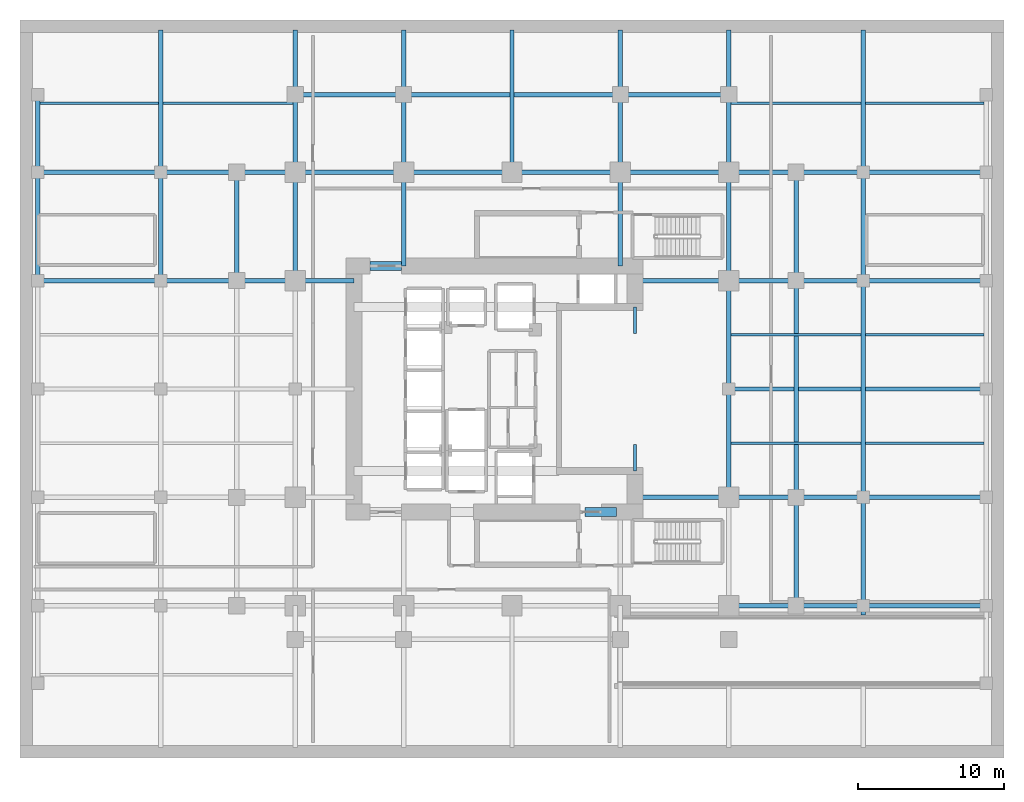
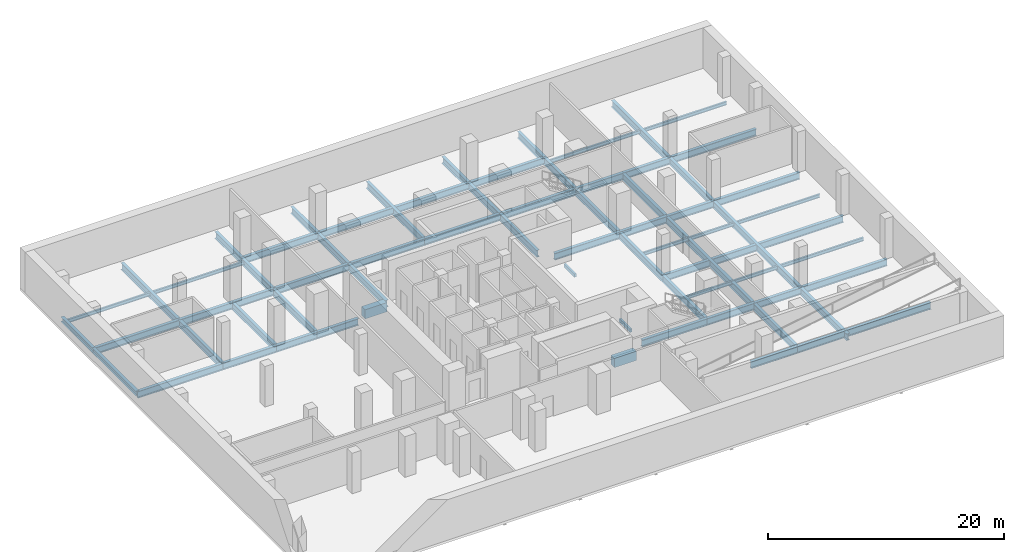
# One storey, part 2 of 7: 68 beams.
"""IFC4 building model written with IfcOpenShell, lengths in metres."""

from ifc_helpers import new_model, si_unit, direction, frame, origin, origin_2d, place, context, subcontext, project, spatial, rectangle, i_section, extrude, material, material_profile, profile_set, type_object, element, save


model = new_model("IFC4")

# Units and contexts
model_context = context("Model", 3, precision=1e-05, world=origin(), true_north=direction((0.0, 1.0)))
body_context = subcontext(model_context, "Body", "Model", "MODEL_VIEW")
ifc_project = project(units=[si_unit("LENGTHUNIT", "METRE"), si_unit("AREAUNIT", "SQUARE_METRE"), si_unit("VOLUMEUNIT", "CUBIC_METRE"), si_unit("PLANEANGLEUNIT", "RADIAN"), si_unit("MASSUNIT", "GRAM", prefix="KILO")], contexts=[model_context])

# Site, building, storey
site_placement = place(None, origin())
site = spatial("IfcSite", under=ifc_project, at=site_placement, CompositionType="ELEMENT")
building_placement = place(site_placement, origin())
building = spatial("IfcBuilding", under=site, at=building_placement, Name="Khorvyn Point Tower", CompositionType="ELEMENT")
storey_placement = place(building_placement, frame((0.0, 0.0, -4.199951171875)))
storey = spatial("IfcBuildingStorey", under=building, at=storey_placement, Name="B1", CompositionType="ELEMENT", Elevation=-4.199951171875)

# Beams
ifc_material_1 = material(Name="Concrete C35/45", Category="concrete")
ifc_material_profile_1 = material_profile(ifc_material_1, rectangle(XDim=0.199951171875, YDim=0.35009765625, at=origin_2d()))
ifc_profile_set_1 = profile_set([ifc_material_profile_1], Name="Concrete C35/45 RC200x350")
beam_type_1 = type_object("IfcBeamType", Name="Concrete C35/45 Lintel RC200x350", PredefinedType="LINTEL", material=ifc_profile_set_1)
for number, where, z_axis, x_axis, name in (
    (1, (8.39990234375, -5.60009765625, -0.43505859375), (0.0, 1.0, 0.0), (-1.0, 0.0, 0.0), "B1 Core Atrium Portal Lintel S"),
    (2, (8.39990234375, 3.800048828125, -0.43505859375), (0.0, 1.0, 0.0), (-1.0, 0.0, 0.0), "B1 Core Atrium Portal Lintel N"),
):
    element("IfcBeam", number, at=place(storey_placement, frame(where, z_axis=z_axis, x_axis=x_axis)), inside=storey, type_object=beam_type_1, Name=name, PredefinedType="LINTEL", context=body_context, shape_type="SweptSolid", body=[
        extrude(rectangle(XDim=0.199951171875, YDim=0.35009765625, at=origin_2d()), origin(), (0.0, 0.0, 1.0), 1.800048828125),
    ])
ifc_material_2 = material(Name="Concrete C50/60", Category="concrete")
ifc_material_profile_2 = material_profile(ifc_material_2, rectangle(XDim=0.60009765625, YDim=0.949951171875, at=origin_2d()))
ifc_profile_set_2 = profile_set([ifc_material_profile_2], Name="Concrete C50/60 RC600x950")
beam_type_2 = type_object("IfcBeamType", Name="Concrete C50/60 Beam RC600x950", PredefinedType="BEAM", material=ifc_profile_set_2)
for number, where, z_axis, x_axis, name in (
    (3, (5.0, -8.39990234375, -0.735107421875), (1.0, 0.0, 0.0), (0.0, 1.0, 0.0), "B1 Core Southeast Portal Coupling Beam"),
    (4, (-9.699951171875, 8.39990234375, -0.735107421875), (1.0, 0.0, 0.0), (0.0, 1.0, 0.0), "B1 Core Northwest Portal Coupling Beam"),
):
    element("IfcBeam", number, at=place(storey_placement, frame(where, z_axis=z_axis, x_axis=x_axis)), inside=storey, type_object=beam_type_2, Name=name, PredefinedType="BEAM", context=body_context, shape_type="SweptSolid", body=[
        extrude(rectangle(XDim=0.60009765625, YDim=0.949951171875, at=origin_2d()), origin(), (0.0, 0.0, 1.0), 2.14990234375),
    ])
ifc_material_3 = material(Name="Steel S355", Category="steel")
ifc_material_profile_3 = material_profile(ifc_material_3, i_section(OverallWidth=0.300048828125, OverallDepth=0.699951171875, WebThickness=0.012939453125, FlangeThickness=0.02392578125, at=origin_2d()))
ifc_profile_set_3 = profile_set([ifc_material_profile_3], Name="Steel S355 H700x300x13x24")
beam_type_3 = type_object("IfcBeamType", Name="Steel S355 Beam H700x300x13x24", PredefinedType="BEAM", material=ifc_profile_set_3)
beam_1_placement = place(storey_placement, frame((14.800048828125, -14.800048828125, -0.610107421875), z_axis=(1.0, 0.0, 0.0), x_axis=(0.0, 1.0, 0.0)))
element("IfcBeam", 5, at=beam_1_placement, inside=storey, type_object=beam_type_3, Name="Beam", PredefinedType="BEAM", context=body_context, shape_type="SweptSolid", body=[
    extrude(i_section(OverallWidth=0.300048828125, OverallDepth=0.699951171875, WebThickness=0.012939453125, FlangeThickness=0.02392578125, at=origin_2d()), origin(), (0.0, 0.0, 1.0), 4.599853515625),
])
beam_2_placement = place(storey_placement, frame((19.39990234375, -14.800048828125, -0.610107421875), z_axis=(1.0, 0.0, 0.0), x_axis=(0.0, 1.0, 0.0)))
element("IfcBeam", 6, at=beam_2_placement, inside=storey, type_object=beam_type_3, Name="Beam", PredefinedType="BEAM", context=body_context, shape_type="SweptSolid", body=[
    extrude(i_section(OverallWidth=0.300048828125, OverallDepth=0.699951171875, WebThickness=0.012939453125, FlangeThickness=0.02392578125, at=origin_2d()), origin(), (0.0, 0.0, 1.0), 4.60009765625),
])
beam_3_placement = place(storey_placement, frame((24.0, -14.800048828125, -0.610107421875), z_axis=(1.0, 0.0, 0.0), x_axis=(0.0, 1.0, 0.0)))
element("IfcBeam", 7, at=beam_3_placement, inside=storey, type_object=beam_type_3, Name="Beam", PredefinedType="BEAM", context=body_context, shape_type="SweptSolid", body=[
    extrude(i_section(OverallWidth=0.300048828125, OverallDepth=0.699951171875, WebThickness=0.012939453125, FlangeThickness=0.02392578125, at=origin_2d()), origin(), (0.0, 0.0, 1.0), 8.39990234375),
])
beam_4_placement = place(storey_placement, frame((8.39990234375, -7.39990234375, -0.610107421875), z_axis=(1.0, 0.0, 0.0), x_axis=(0.0, 1.0, 0.0)))
element("IfcBeam", 8, at=beam_4_placement, inside=storey, type_object=beam_type_3, Name="Beam", PredefinedType="BEAM", context=body_context, shape_type="SweptSolid", body=[
    extrude(i_section(OverallWidth=0.300048828125, OverallDepth=0.699951171875, WebThickness=0.012939453125, FlangeThickness=0.02392578125, at=origin_2d()), origin(), (0.0, 0.0, 1.0), 6.400146484375),
])
beam_5_placement = place(storey_placement, frame((14.800048828125, -7.39990234375, -0.610107421875), z_axis=(1.0, 0.0, 0.0), x_axis=(0.0, 1.0, 0.0)))
element("IfcBeam", 9, at=beam_5_placement, inside=storey, type_object=beam_type_3, Name="Beam", PredefinedType="BEAM", context=body_context, shape_type="SweptSolid", body=[
    extrude(i_section(OverallWidth=0.300048828125, OverallDepth=0.699951171875, WebThickness=0.012939453125, FlangeThickness=0.02392578125, at=origin_2d()), origin(), (0.0, 0.0, 1.0), 4.599853515625),
])
beam_6_placement = place(storey_placement, frame((19.39990234375, -7.39990234375, -0.610107421875), z_axis=(1.0, 0.0, 0.0), x_axis=(0.0, 1.0, 0.0)))
element("IfcBeam", 10, at=beam_6_placement, inside=storey, type_object=beam_type_3, Name="Beam", PredefinedType="BEAM", context=body_context, shape_type="SweptSolid", body=[
    extrude(i_section(OverallWidth=0.300048828125, OverallDepth=0.699951171875, WebThickness=0.012939453125, FlangeThickness=0.02392578125, at=origin_2d()), origin(), (0.0, 0.0, 1.0), 4.60009765625),
])
beam_7_placement = place(storey_placement, frame((24.0, -7.39990234375, -0.610107421875), z_axis=(1.0, 0.0, 0.0), x_axis=(0.0, 1.0, 0.0)))
element("IfcBeam", 11, at=beam_7_placement, inside=storey, type_object=beam_type_3, Name="Beam", PredefinedType="BEAM", context=body_context, shape_type="SweptSolid", body=[
    extrude(i_section(OverallWidth=0.300048828125, OverallDepth=0.699951171875, WebThickness=0.012939453125, FlangeThickness=0.02392578125, at=origin_2d()), origin(), (0.0, 0.0, 1.0), 8.39990234375),
])
beam_8_placement = place(storey_placement, frame((14.800048828125, 0.0, -0.610107421875), z_axis=(1.0, 0.0, 0.0), x_axis=(0.0, 1.0, 0.0)))
element("IfcBeam", 12, at=beam_8_placement, inside=storey, type_object=beam_type_3, Name="Beam", PredefinedType="BEAM", context=body_context, shape_type="SweptSolid", body=[
    extrude(i_section(OverallWidth=0.300048828125, OverallDepth=0.699951171875, WebThickness=0.012939453125, FlangeThickness=0.02392578125, at=origin_2d()), origin(), (0.0, 0.0, 1.0), 17.599853515625),
])
beam_9_placement = place(storey_placement, frame((-32.39990234375, 7.39990234375, -0.610107421875), z_axis=(1.0, 0.0, 0.0), x_axis=(0.0, 1.0, 0.0)))
element("IfcBeam", 13, at=beam_9_placement, inside=storey, type_object=beam_type_3, Name="Beam", PredefinedType="BEAM", context=body_context, shape_type="SweptSolid", body=[
    extrude(i_section(OverallWidth=0.300048828125, OverallDepth=0.699951171875, WebThickness=0.012939453125, FlangeThickness=0.02392578125, at=origin_2d()), origin(), (0.0, 0.0, 1.0), 8.39990234375),
])
beam_10_placement = place(storey_placement, frame((-24.0, 7.39990234375, -0.610107421875), z_axis=(1.0, 0.0, 0.0), x_axis=(0.0, 1.0, 0.0)))
element("IfcBeam", 14, at=beam_10_placement, inside=storey, type_object=beam_type_3, Name="Beam", PredefinedType="BEAM", context=body_context, shape_type="SweptSolid", body=[
    extrude(i_section(OverallWidth=0.300048828125, OverallDepth=0.699951171875, WebThickness=0.012939453125, FlangeThickness=0.02392578125, at=origin_2d()), origin(), (0.0, 0.0, 1.0), 5.199951171875),
])
for number, where, z_axis, x_axis, name in (
    (15, (-18.800048828125, 7.39990234375, -0.610107421875), (1.0, 0.0, 0.0), (0.0, 1.0, 0.0), "Beam"),
    (16, (-14.800048828125, 7.39990234375, -0.610107421875), (1.0, 0.0, 0.0), (0.0, 1.0, 0.0), "Beam"),
):
    element("IfcBeam", number, at=place(storey_placement, frame(where, z_axis=z_axis, x_axis=x_axis)), inside=storey, type_object=beam_type_3, Name=name, PredefinedType="BEAM", context=body_context, shape_type="SweptSolid", body=[
        extrude(i_section(OverallWidth=0.300048828125, OverallDepth=0.699951171875, WebThickness=0.012939453125, FlangeThickness=0.02392578125, at=origin_2d()), origin(), (0.0, 0.0, 1.0), 4.0),
    ])
beam_11_placement = place(storey_placement, frame((8.39990234375, 7.39990234375, -0.610107421875), z_axis=(1.0, 0.0, 0.0), x_axis=(0.0, 1.0, 0.0)))
element("IfcBeam", 17, at=beam_11_placement, inside=storey, type_object=beam_type_3, Name="Beam", PredefinedType="BEAM", context=body_context, shape_type="SweptSolid", body=[
    extrude(i_section(OverallWidth=0.300048828125, OverallDepth=0.699951171875, WebThickness=0.012939453125, FlangeThickness=0.02392578125, at=origin_2d()), origin(), (0.0, 0.0, 1.0), 6.400146484375),
])
beam_12_placement = place(storey_placement, frame((14.800048828125, 7.39990234375, -0.610107421875), z_axis=(1.0, 0.0, 0.0), x_axis=(0.0, 1.0, 0.0)))
element("IfcBeam", 18, at=beam_12_placement, inside=storey, type_object=beam_type_3, Name="Beam", PredefinedType="BEAM", context=body_context, shape_type="SweptSolid", body=[
    extrude(i_section(OverallWidth=0.300048828125, OverallDepth=0.699951171875, WebThickness=0.012939453125, FlangeThickness=0.02392578125, at=origin_2d()), origin(), (0.0, 0.0, 1.0), 4.599853515625),
])
beam_13_placement = place(storey_placement, frame((19.39990234375, 7.39990234375, -0.610107421875), z_axis=(1.0, 0.0, 0.0), x_axis=(0.0, 1.0, 0.0)))
element("IfcBeam", 19, at=beam_13_placement, inside=storey, type_object=beam_type_3, Name="Beam", PredefinedType="BEAM", context=body_context, shape_type="SweptSolid", body=[
    extrude(i_section(OverallWidth=0.300048828125, OverallDepth=0.699951171875, WebThickness=0.012939453125, FlangeThickness=0.02392578125, at=origin_2d()), origin(), (0.0, 0.0, 1.0), 4.60009765625),
])
for number, where, z_axis, x_axis, name in (
    (20, (24.0, 7.39990234375, -0.610107421875), (1.0, 0.0, 0.0), (0.0, 1.0, 0.0), "Beam"),
    (21, (-32.39990234375, 14.800048828125, -0.610107421875), (1.0, 0.0, 0.0), (0.0, 1.0, 0.0), "Beam"),
):
    element("IfcBeam", number, at=place(storey_placement, frame(where, z_axis=z_axis, x_axis=x_axis)), inside=storey, type_object=beam_type_3, Name=name, PredefinedType="BEAM", context=body_context, shape_type="SweptSolid", body=[
        extrude(i_section(OverallWidth=0.300048828125, OverallDepth=0.699951171875, WebThickness=0.012939453125, FlangeThickness=0.02392578125, at=origin_2d()), origin(), (0.0, 0.0, 1.0), 8.39990234375),
    ])
beam_14_placement = place(storey_placement, frame((-24.0, 14.800048828125, -0.610107421875), z_axis=(1.0, 0.0, 0.0), x_axis=(0.0, 1.0, 0.0)))
element("IfcBeam", 22, at=beam_14_placement, inside=storey, type_object=beam_type_3, Name="Beam", PredefinedType="BEAM", context=body_context, shape_type="SweptSolid", body=[
    extrude(i_section(OverallWidth=0.300048828125, OverallDepth=0.699951171875, WebThickness=0.012939453125, FlangeThickness=0.02392578125, at=origin_2d()), origin(), (0.0, 0.0, 1.0), 5.199951171875),
])
beam_15_placement = place(storey_placement, frame((-18.800048828125, 14.800048828125, -0.610107421875), z_axis=(1.0, 0.0, 0.0), x_axis=(0.0, 1.0, 0.0)))
element("IfcBeam", 23, at=beam_15_placement, inside=storey, type_object=beam_type_3, Name="Beam", PredefinedType="BEAM", context=body_context, shape_type="SweptSolid", body=[
    extrude(i_section(OverallWidth=0.300048828125, OverallDepth=0.699951171875, WebThickness=0.012939453125, FlangeThickness=0.02392578125, at=origin_2d()), origin(), (0.0, 0.0, 1.0), 4.0),
])
beam_16_placement = place(storey_placement, frame((-14.800048828125, 14.800048828125, -0.610107421875), z_axis=(1.0, 0.0, 0.0), x_axis=(0.0, 1.0, 0.0)))
element("IfcBeam", 24, at=beam_16_placement, inside=storey, type_object=beam_type_3, Name="Beam", PredefinedType="BEAM", context=body_context, shape_type="SweptSolid", body=[
    extrude(i_section(OverallWidth=0.300048828125, OverallDepth=0.699951171875, WebThickness=0.012939453125, FlangeThickness=0.02392578125, at=origin_2d()), origin(), (0.0, 0.0, 1.0), 7.400146484375),
])
for number, where, z_axis, x_axis, name in (
    (25, (-7.39990234375, 14.800048828125, -0.610107421875), (1.0, 0.0, 0.0), (0.0, 1.0, 0.0), "Beam"),
    (26, (0.0, 14.800048828125, -0.610107421875), (1.0, 0.0, 0.0), (0.0, 1.0, 0.0), "Beam"),
):
    element("IfcBeam", number, at=place(storey_placement, frame(where, z_axis=z_axis, x_axis=x_axis)), inside=storey, type_object=beam_type_3, Name=name, PredefinedType="BEAM", context=body_context, shape_type="SweptSolid", body=[
        extrude(i_section(OverallWidth=0.300048828125, OverallDepth=0.699951171875, WebThickness=0.012939453125, FlangeThickness=0.02392578125, at=origin_2d()), origin(), (0.0, 0.0, 1.0), 7.39990234375),
    ])
beam_17_placement = place(storey_placement, frame((7.39990234375, 14.800048828125, -0.610107421875), z_axis=(1.0, 0.0, 0.0), x_axis=(0.0, 1.0, 0.0)))
element("IfcBeam", 27, at=beam_17_placement, inside=storey, type_object=beam_type_3, Name="Beam", PredefinedType="BEAM", context=body_context, shape_type="SweptSolid", body=[
    extrude(i_section(OverallWidth=0.300048828125, OverallDepth=0.699951171875, WebThickness=0.012939453125, FlangeThickness=0.02392578125, at=origin_2d()), origin(), (0.0, 0.0, 1.0), 7.400146484375),
])
beam_18_placement = place(storey_placement, frame((14.800048828125, 14.800048828125, -0.610107421875), z_axis=(1.0, 0.0, 0.0), x_axis=(0.0, 1.0, 0.0)))
element("IfcBeam", 28, at=beam_18_placement, inside=storey, type_object=beam_type_3, Name="Beam", PredefinedType="BEAM", context=body_context, shape_type="SweptSolid", body=[
    extrude(i_section(OverallWidth=0.300048828125, OverallDepth=0.699951171875, WebThickness=0.012939453125, FlangeThickness=0.02392578125, at=origin_2d()), origin(), (0.0, 0.0, 1.0), 4.599853515625),
])
beam_19_placement = place(storey_placement, frame((19.39990234375, 14.800048828125, -0.610107421875), z_axis=(1.0, 0.0, 0.0), x_axis=(0.0, 1.0, 0.0)))
element("IfcBeam", 29, at=beam_19_placement, inside=storey, type_object=beam_type_3, Name="Beam", PredefinedType="BEAM", context=body_context, shape_type="SweptSolid", body=[
    extrude(i_section(OverallWidth=0.300048828125, OverallDepth=0.699951171875, WebThickness=0.012939453125, FlangeThickness=0.02392578125, at=origin_2d()), origin(), (0.0, 0.0, 1.0), 4.60009765625),
])
beam_20_placement = place(storey_placement, frame((24.0, 14.800048828125, -0.610107421875), z_axis=(1.0, 0.0, 0.0), x_axis=(0.0, 1.0, 0.0)))
element("IfcBeam", 30, at=beam_20_placement, inside=storey, type_object=beam_type_3, Name="Beam", PredefinedType="BEAM", context=body_context, shape_type="SweptSolid", body=[
    extrude(i_section(OverallWidth=0.300048828125, OverallDepth=0.699951171875, WebThickness=0.012939453125, FlangeThickness=0.02392578125, at=origin_2d()), origin(), (0.0, 0.0, 1.0), 8.39990234375),
])
beam_21_placement = place(storey_placement, frame((-14.800048828125, 20.10009765625, -0.610107421875), z_axis=(1.0, 0.0, 0.0), x_axis=(0.0, 1.0, 0.0)))
element("IfcBeam", 31, at=beam_21_placement, inside=storey, type_object=beam_type_3, Name="Beam", PredefinedType="BEAM", context=body_context, shape_type="SweptSolid", body=[
    extrude(i_section(OverallWidth=0.300048828125, OverallDepth=0.699951171875, WebThickness=0.012939453125, FlangeThickness=0.02392578125, at=origin_2d()), origin(), (0.0, 0.0, 1.0), 7.400146484375),
])
beam_22_placement = place(storey_placement, frame((-7.39990234375, 20.10009765625, -0.610107421875), z_axis=(1.0, 0.0, 0.0), x_axis=(0.0, 1.0, 0.0)))
element("IfcBeam", 32, at=beam_22_placement, inside=storey, type_object=beam_type_3, Name="Beam", PredefinedType="BEAM", context=body_context, shape_type="SweptSolid", body=[
    extrude(i_section(OverallWidth=0.300048828125, OverallDepth=0.699951171875, WebThickness=0.012939453125, FlangeThickness=0.02392578125, at=origin_2d()), origin(), (0.0, 0.0, 1.0), 14.7998046875),
])
for number, where, z_axis, x_axis, name in (
    (33, (7.39990234375, 20.10009765625, -0.610107421875), (1.0, 0.0, 0.0), (0.0, 1.0, 0.0), "Beam"),
    (34, (-24.0, 7.39990234375, -0.610107421875), (0.0, 1.0, 0.0), (-1.0, 0.0, 0.0), "Beam"),
):
    element("IfcBeam", number, at=place(storey_placement, frame(where, z_axis=z_axis, x_axis=x_axis)), inside=storey, type_object=beam_type_3, Name=name, PredefinedType="BEAM", context=body_context, shape_type="SweptSolid", body=[
        extrude(i_section(OverallWidth=0.300048828125, OverallDepth=0.699951171875, WebThickness=0.012939453125, FlangeThickness=0.02392578125, at=origin_2d()), origin(), (0.0, 0.0, 1.0), 7.400146484375),
    ])
beam_23_placement = place(storey_placement, frame((-24.0, 14.800048828125, -0.610107421875), z_axis=(0.0, 1.0, 0.0), x_axis=(-1.0, 0.0, 0.0)))
element("IfcBeam", 35, at=beam_23_placement, inside=storey, type_object=beam_type_3, Name="Beam", PredefinedType="BEAM", context=body_context, shape_type="SweptSolid", body=[
    extrude(i_section(OverallWidth=0.300048828125, OverallDepth=0.699951171875, WebThickness=0.012939453125, FlangeThickness=0.02392578125, at=origin_2d()), origin(), (0.0, 0.0, 1.0), 9.699951171875),
])
beam_24_placement = place(storey_placement, frame((-14.800048828125, 7.39990234375, -0.610107421875), z_axis=(0.0, 1.0, 0.0), x_axis=(-1.0, 0.0, 0.0)))
element("IfcBeam", 36, at=beam_24_placement, inside=storey, type_object=beam_type_3, Name="Beam", PredefinedType="BEAM", context=body_context, shape_type="SweptSolid", body=[
    extrude(i_section(OverallWidth=0.300048828125, OverallDepth=0.699951171875, WebThickness=0.012939453125, FlangeThickness=0.02392578125, at=origin_2d()), origin(), (0.0, 0.0, 1.0), 7.400146484375),
])
beam_25_placement = place(storey_placement, frame((-14.800048828125, 14.800048828125, -0.610107421875), z_axis=(0.0, 1.0, 0.0), x_axis=(-1.0, 0.0, 0.0)))
element("IfcBeam", 37, at=beam_25_placement, inside=storey, type_object=beam_type_3, Name="Beam", PredefinedType="BEAM", context=body_context, shape_type="SweptSolid", body=[
    extrude(i_section(OverallWidth=0.300048828125, OverallDepth=0.699951171875, WebThickness=0.012939453125, FlangeThickness=0.02392578125, at=origin_2d()), origin(), (0.0, 0.0, 1.0), 5.300048828125),
])
beam_26_placement = place(storey_placement, frame((-14.800048828125, 20.10009765625, -0.610107421875), z_axis=(0.0, 1.0, 0.0), x_axis=(-1.0, 0.0, 0.0)))
element("IfcBeam", 38, at=beam_26_placement, inside=storey, type_object=beam_type_3, Name="Beam", PredefinedType="BEAM", context=body_context, shape_type="SweptSolid", body=[
    extrude(i_section(OverallWidth=0.300048828125, OverallDepth=0.699951171875, WebThickness=0.012939453125, FlangeThickness=0.02392578125, at=origin_2d()), origin(), (0.0, 0.0, 1.0), 4.39990234375),
])
beam_27_placement = place(storey_placement, frame((-7.39990234375, 8.39990234375, -0.610107421875), z_axis=(0.0, 1.0, 0.0), x_axis=(-1.0, 0.0, 0.0)))
element("IfcBeam", 39, at=beam_27_placement, inside=storey, type_object=beam_type_3, Name="Beam", PredefinedType="BEAM", context=body_context, shape_type="SweptSolid", body=[
    extrude(i_section(OverallWidth=0.300048828125, OverallDepth=0.699951171875, WebThickness=0.012939453125, FlangeThickness=0.02392578125, at=origin_2d()), origin(), (0.0, 0.0, 1.0), 6.400146484375),
])
beam_28_placement = place(storey_placement, frame((-7.39990234375, 14.800048828125, -0.610107421875), z_axis=(0.0, 1.0, 0.0), x_axis=(-1.0, 0.0, 0.0)))
element("IfcBeam", 40, at=beam_28_placement, inside=storey, type_object=beam_type_3, Name="Beam", PredefinedType="BEAM", context=body_context, shape_type="SweptSolid", body=[
    extrude(i_section(OverallWidth=0.300048828125, OverallDepth=0.699951171875, WebThickness=0.012939453125, FlangeThickness=0.02392578125, at=origin_2d()), origin(), (0.0, 0.0, 1.0), 5.300048828125),
])
beam_29_placement = place(storey_placement, frame((-7.39990234375, 20.10009765625, -0.610107421875), z_axis=(0.0, 1.0, 0.0), x_axis=(-1.0, 0.0, 0.0)))
element("IfcBeam", 41, at=beam_29_placement, inside=storey, type_object=beam_type_3, Name="Beam", PredefinedType="BEAM", context=body_context, shape_type="SweptSolid", body=[
    extrude(i_section(OverallWidth=0.300048828125, OverallDepth=0.699951171875, WebThickness=0.012939453125, FlangeThickness=0.02392578125, at=origin_2d()), origin(), (0.0, 0.0, 1.0), 4.39990234375),
])
beam_30_placement = place(storey_placement, frame((0.0, 14.800048828125, -0.610107421875), z_axis=(0.0, 1.0, 0.0), x_axis=(-1.0, 0.0, 0.0)))
element("IfcBeam", 42, at=beam_30_placement, inside=storey, type_object=beam_type_3, Name="Beam", PredefinedType="BEAM", context=body_context, shape_type="SweptSolid", body=[
    extrude(i_section(OverallWidth=0.300048828125, OverallDepth=0.699951171875, WebThickness=0.012939453125, FlangeThickness=0.02392578125, at=origin_2d()), origin(), (0.0, 0.0, 1.0), 9.699951171875),
])
beam_31_placement = place(storey_placement, frame((7.39990234375, 8.39990234375, -0.610107421875), z_axis=(0.0, 1.0, 0.0), x_axis=(-1.0, 0.0, 0.0)))
element("IfcBeam", 43, at=beam_31_placement, inside=storey, type_object=beam_type_3, Name="Beam", PredefinedType="BEAM", context=body_context, shape_type="SweptSolid", body=[
    extrude(i_section(OverallWidth=0.300048828125, OverallDepth=0.699951171875, WebThickness=0.012939453125, FlangeThickness=0.02392578125, at=origin_2d()), origin(), (0.0, 0.0, 1.0), 6.400146484375),
])
beam_32_placement = place(storey_placement, frame((7.39990234375, 14.800048828125, -0.610107421875), z_axis=(0.0, 1.0, 0.0), x_axis=(-1.0, 0.0, 0.0)))
element("IfcBeam", 44, at=beam_32_placement, inside=storey, type_object=beam_type_3, Name="Beam", PredefinedType="BEAM", context=body_context, shape_type="SweptSolid", body=[
    extrude(i_section(OverallWidth=0.300048828125, OverallDepth=0.699951171875, WebThickness=0.012939453125, FlangeThickness=0.02392578125, at=origin_2d()), origin(), (0.0, 0.0, 1.0), 5.300048828125),
])
beam_33_placement = place(storey_placement, frame((7.39990234375, 20.10009765625, -0.610107421875), z_axis=(0.0, 1.0, 0.0), x_axis=(-1.0, 0.0, 0.0)))
element("IfcBeam", 45, at=beam_33_placement, inside=storey, type_object=beam_type_3, Name="Beam", PredefinedType="BEAM", context=body_context, shape_type="SweptSolid", body=[
    extrude(i_section(OverallWidth=0.300048828125, OverallDepth=0.699951171875, WebThickness=0.012939453125, FlangeThickness=0.02392578125, at=origin_2d()), origin(), (0.0, 0.0, 1.0), 4.39990234375),
])
for number, where, z_axis, x_axis, name in (
    (46, (14.800048828125, -7.39990234375, -0.610107421875), (0.0, 1.0, 0.0), (-1.0, 0.0, 0.0), "Beam"),
    (47, (14.800048828125, 0.0, -0.610107421875), (0.0, 1.0, 0.0), (-1.0, 0.0, 0.0), "Beam"),
):
    element("IfcBeam", number, at=place(storey_placement, frame(where, z_axis=z_axis, x_axis=x_axis)), inside=storey, type_object=beam_type_3, Name=name, PredefinedType="BEAM", context=body_context, shape_type="SweptSolid", body=[
        extrude(i_section(OverallWidth=0.300048828125, OverallDepth=0.699951171875, WebThickness=0.012939453125, FlangeThickness=0.02392578125, at=origin_2d()), origin(), (0.0, 0.0, 1.0), 7.39990234375),
    ])
beam_34_placement = place(storey_placement, frame((14.800048828125, 7.39990234375, -0.610107421875), z_axis=(0.0, 1.0, 0.0), x_axis=(-1.0, 0.0, 0.0)))
element("IfcBeam", 48, at=beam_34_placement, inside=storey, type_object=beam_type_3, Name="Beam", PredefinedType="BEAM", context=body_context, shape_type="SweptSolid", body=[
    extrude(i_section(OverallWidth=0.300048828125, OverallDepth=0.699951171875, WebThickness=0.012939453125, FlangeThickness=0.02392578125, at=origin_2d()), origin(), (0.0, 0.0, 1.0), 7.400146484375),
])
beam_35_placement = place(storey_placement, frame((14.800048828125, 14.800048828125, -0.610107421875), z_axis=(0.0, 1.0, 0.0), x_axis=(-1.0, 0.0, 0.0)))
element("IfcBeam", 49, at=beam_35_placement, inside=storey, type_object=beam_type_3, Name="Beam", PredefinedType="BEAM", context=body_context, shape_type="SweptSolid", body=[
    extrude(i_section(OverallWidth=0.300048828125, OverallDepth=0.699951171875, WebThickness=0.012939453125, FlangeThickness=0.02392578125, at=origin_2d()), origin(), (0.0, 0.0, 1.0), 5.300048828125),
])
beam_36_placement = place(storey_placement, frame((14.800048828125, 20.10009765625, -0.610107421875), z_axis=(0.0, 1.0, 0.0), x_axis=(-1.0, 0.0, 0.0)))
element("IfcBeam", 50, at=beam_36_placement, inside=storey, type_object=beam_type_3, Name="Beam", PredefinedType="BEAM", context=body_context, shape_type="SweptSolid", body=[
    extrude(i_section(OverallWidth=0.300048828125, OverallDepth=0.699951171875, WebThickness=0.012939453125, FlangeThickness=0.02392578125, at=origin_2d()), origin(), (0.0, 0.0, 1.0), 4.39990234375),
])
beam_37_placement = place(storey_placement, frame((24.0, -15.419921875, -0.610107421875), z_axis=(0.0, 1.0, 0.0), x_axis=(-1.0, 0.0, 0.0)))
element("IfcBeam", 51, at=beam_37_placement, inside=storey, type_object=beam_type_3, Name="Beam", PredefinedType="BEAM", context=body_context, shape_type="SweptSolid", body=[
    extrude(i_section(OverallWidth=0.300048828125, OverallDepth=0.699951171875, WebThickness=0.012939453125, FlangeThickness=0.02392578125, at=origin_2d()), origin(), (0.0, 0.0, 1.0), 8.02001953125),
])
beam_38_placement = place(storey_placement, frame((24.0, -7.39990234375, -0.610107421875), z_axis=(0.0, 1.0, 0.0), x_axis=(-1.0, 0.0, 0.0)))
element("IfcBeam", 52, at=beam_38_placement, inside=storey, type_object=beam_type_3, Name="Beam", PredefinedType="BEAM", context=body_context, shape_type="SweptSolid", body=[
    extrude(i_section(OverallWidth=0.300048828125, OverallDepth=0.699951171875, WebThickness=0.012939453125, FlangeThickness=0.02392578125, at=origin_2d()), origin(), (0.0, 0.0, 1.0), 14.7998046875),
])
beam_39_placement = place(storey_placement, frame((24.0, 7.39990234375, -0.610107421875), z_axis=(0.0, 1.0, 0.0), x_axis=(-1.0, 0.0, 0.0)))
element("IfcBeam", 53, at=beam_39_placement, inside=storey, type_object=beam_type_3, Name="Beam", PredefinedType="BEAM", context=body_context, shape_type="SweptSolid", body=[
    extrude(i_section(OverallWidth=0.300048828125, OverallDepth=0.699951171875, WebThickness=0.012939453125, FlangeThickness=0.02392578125, at=origin_2d()), origin(), (0.0, 0.0, 1.0), 7.400146484375),
])
beam_40_placement = place(storey_placement, frame((24.0, 14.800048828125, -0.610107421875), z_axis=(0.0, 1.0, 0.0), x_axis=(-1.0, 0.0, 0.0)))
element("IfcBeam", 54, at=beam_40_placement, inside=storey, type_object=beam_type_3, Name="Beam", PredefinedType="BEAM", context=body_context, shape_type="SweptSolid", body=[
    extrude(i_section(OverallWidth=0.300048828125, OverallDepth=0.699951171875, WebThickness=0.012939453125, FlangeThickness=0.02392578125, at=origin_2d()), origin(), (0.0, 0.0, 1.0), 9.699951171875),
])
for number, where, z_axis, x_axis, name in (
    (55, (-18.800048828125, 7.39990234375, -0.610107421875), (0.0, 1.0, 0.0), (-1.0, 0.0, 0.0), "Beam"),
    (56, (19.39990234375, -14.800048828125, -0.610107421875), (0.0, 1.0, 0.0), (-1.0, 0.0, 0.0), "Beam"),
):
    element("IfcBeam", number, at=place(storey_placement, frame(where, z_axis=z_axis, x_axis=x_axis)), inside=storey, type_object=beam_type_3, Name=name, PredefinedType="BEAM", context=body_context, shape_type="SweptSolid", body=[
        extrude(i_section(OverallWidth=0.300048828125, OverallDepth=0.699951171875, WebThickness=0.012939453125, FlangeThickness=0.02392578125, at=origin_2d()), origin(), (0.0, 0.0, 1.0), 7.400146484375),
    ])
beam_41_placement = place(storey_placement, frame((19.39990234375, -7.39990234375, -0.610107421875), z_axis=(0.0, 1.0, 0.0), x_axis=(-1.0, 0.0, 0.0)))
element("IfcBeam", 57, at=beam_41_placement, inside=storey, type_object=beam_type_3, Name="Beam", PredefinedType="BEAM", context=body_context, shape_type="SweptSolid", body=[
    extrude(i_section(OverallWidth=0.300048828125, OverallDepth=0.699951171875, WebThickness=0.012939453125, FlangeThickness=0.02392578125, at=origin_2d()), origin(), (0.0, 0.0, 1.0), 14.7998046875),
])
beam_42_placement = place(storey_placement, frame((19.39990234375, 7.39990234375, -0.610107421875), z_axis=(0.0, 1.0, 0.0), x_axis=(-1.0, 0.0, 0.0)))
element("IfcBeam", 58, at=beam_42_placement, inside=storey, type_object=beam_type_3, Name="Beam", PredefinedType="BEAM", context=body_context, shape_type="SweptSolid", body=[
    extrude(i_section(OverallWidth=0.300048828125, OverallDepth=0.699951171875, WebThickness=0.012939453125, FlangeThickness=0.02392578125, at=origin_2d()), origin(), (0.0, 0.0, 1.0), 7.400146484375),
])
ifc_material_profile_4 = material_profile(ifc_material_3, i_section(OverallWidth=0.175048828125, OverallDepth=0.35009765625, WebThickness=0.007080078125, FlangeThickness=0.010986328125, at=origin_2d()))
ifc_profile_set_4 = profile_set([ifc_material_profile_4], Name="Steel S355 H350x175x7x11")
beam_type_4 = type_object("IfcBeamType", Name="Steel S355 Joist H350x175x7x11", PredefinedType="JOIST", material=ifc_profile_set_4)
beam_43_placement = place(storey_placement, frame((14.949951171875, -3.699951171875, -0.43505859375), z_axis=(1.0, 0.0, 0.0), x_axis=(0.0, 1.0, 0.0)))
element("IfcBeam", 59, at=beam_43_placement, inside=storey, type_object=beam_type_4, Name="Beam", PredefinedType="JOIST", context=body_context, shape_type="SweptSolid", body=[
    extrude(i_section(OverallWidth=0.175048828125, OverallDepth=0.35009765625, WebThickness=0.007080078125, FlangeThickness=0.010986328125, at=origin_2d()), origin(), (0.0, 0.0, 1.0), 8.900146484375),
])
beam_44_placement = place(storey_placement, frame((24.14990234375, -3.699951171875, -0.43505859375), z_axis=(1.0, 0.0, 0.0), x_axis=(0.0, 1.0, 0.0)))
element("IfcBeam", 60, at=beam_44_placement, inside=storey, type_object=beam_type_4, Name="Beam", PredefinedType="JOIST", context=body_context, shape_type="SweptSolid", body=[
    extrude(i_section(OverallWidth=0.175048828125, OverallDepth=0.35009765625, WebThickness=0.007080078125, FlangeThickness=0.010986328125, at=origin_2d()), origin(), (0.0, 0.0, 1.0), 8.10009765625),
])
beam_45_placement = place(storey_placement, frame((14.949951171875, 3.699951171875, -0.43505859375), z_axis=(1.0, 0.0, 0.0), x_axis=(0.0, 1.0, 0.0)))
element("IfcBeam", 61, at=beam_45_placement, inside=storey, type_object=beam_type_4, Name="Beam", PredefinedType="JOIST", context=body_context, shape_type="SweptSolid", body=[
    extrude(i_section(OverallWidth=0.175048828125, OverallDepth=0.35009765625, WebThickness=0.007080078125, FlangeThickness=0.010986328125, at=origin_2d()), origin(), (0.0, 0.0, 1.0), 8.900146484375),
])
for number, where, z_axis, x_axis, name in (
    (62, (24.14990234375, 3.699951171875, -0.43505859375), (1.0, 0.0, 0.0), (0.0, 1.0, 0.0), "Beam"),
    (63, (-32.25, 19.5, -0.43505859375), (1.0, 0.0, 0.0), (0.0, 1.0, 0.0), "Beam"),
):
    element("IfcBeam", number, at=place(storey_placement, frame(where, z_axis=z_axis, x_axis=x_axis)), inside=storey, type_object=beam_type_4, Name=name, PredefinedType="JOIST", context=body_context, shape_type="SweptSolid", body=[
        extrude(i_section(OverallWidth=0.175048828125, OverallDepth=0.35009765625, WebThickness=0.007080078125, FlangeThickness=0.010986328125, at=origin_2d()), origin(), (0.0, 0.0, 1.0), 8.10009765625),
    ])
for number, where, z_axis, x_axis, name in (
    (64, (-23.85009765625, 19.5, -0.43505859375), (1.0, 0.0, 0.0), (0.0, 1.0, 0.0), "Beam"),
    (65, (14.949951171875, 19.5, -0.43505859375), (1.0, 0.0, 0.0), (0.0, 1.0, 0.0), "Beam"),
):
    element("IfcBeam", number, at=place(storey_placement, frame(where, z_axis=z_axis, x_axis=x_axis)), inside=storey, type_object=beam_type_4, Name=name, PredefinedType="JOIST", context=body_context, shape_type="SweptSolid", body=[
        extrude(i_section(OverallWidth=0.175048828125, OverallDepth=0.35009765625, WebThickness=0.007080078125, FlangeThickness=0.010986328125, at=origin_2d()), origin(), (0.0, 0.0, 1.0), 8.900146484375),
    ])
beam_46_placement = place(storey_placement, frame((24.14990234375, 19.5, -0.43505859375), z_axis=(1.0, 0.0, 0.0), x_axis=(0.0, 1.0, 0.0)))
element("IfcBeam", 66, at=beam_46_placement, inside=storey, type_object=beam_type_4, Name="Beam", PredefinedType="JOIST", context=body_context, shape_type="SweptSolid", body=[
    extrude(i_section(OverallWidth=0.175048828125, OverallDepth=0.35009765625, WebThickness=0.007080078125, FlangeThickness=0.010986328125, at=origin_2d()), origin(), (0.0, 0.0, 1.0), 8.10009765625),
])
ifc_material_profile_5 = material_profile(ifc_material_3, i_section(OverallWidth=0.300048828125, OverallDepth=0.488037109375, WebThickness=0.010986328125, FlangeThickness=0.01806640625, at=origin_2d()))
ifc_profile_set_5 = profile_set([ifc_material_profile_5], Name="Steel S355 H488x300x11x18")
beam_type_5 = type_object("IfcBeamType", Name="Steel S355 Spandrel H488x300x11x18", PredefinedType="SPANDREL", material=ifc_profile_set_5)
beam_47_placement = place(storey_placement, frame((-32.39990234375, 7.39990234375, -0.504150390625), z_axis=(0.0, 1.0, 0.0), x_axis=(-1.0, 0.0, 0.0)))
element("IfcBeam", 67, at=beam_47_placement, inside=storey, type_object=beam_type_5, Name="Beam", PredefinedType="SPANDREL", context=body_context, shape_type="SweptSolid", body=[
    extrude(i_section(OverallWidth=0.300048828125, OverallDepth=0.488037109375, WebThickness=0.010986328125, FlangeThickness=0.01806640625, at=origin_2d()), origin(), (0.0, 0.0, 1.0), 7.400146484375),
])
beam_48_placement = place(storey_placement, frame((-32.39990234375, 14.800048828125, -0.504150390625), z_axis=(0.0, 1.0, 0.0), x_axis=(-1.0, 0.0, 0.0)))
element("IfcBeam", 68, at=beam_48_placement, inside=storey, type_object=beam_type_5, Name="Beam", PredefinedType="SPANDREL", context=body_context, shape_type="SweptSolid", body=[
    extrude(i_section(OverallWidth=0.300048828125, OverallDepth=0.488037109375, WebThickness=0.010986328125, FlangeThickness=0.01806640625, at=origin_2d()), origin(), (0.0, 0.0, 1.0), 5.300048828125),
])

save(model, "model.ifc")
